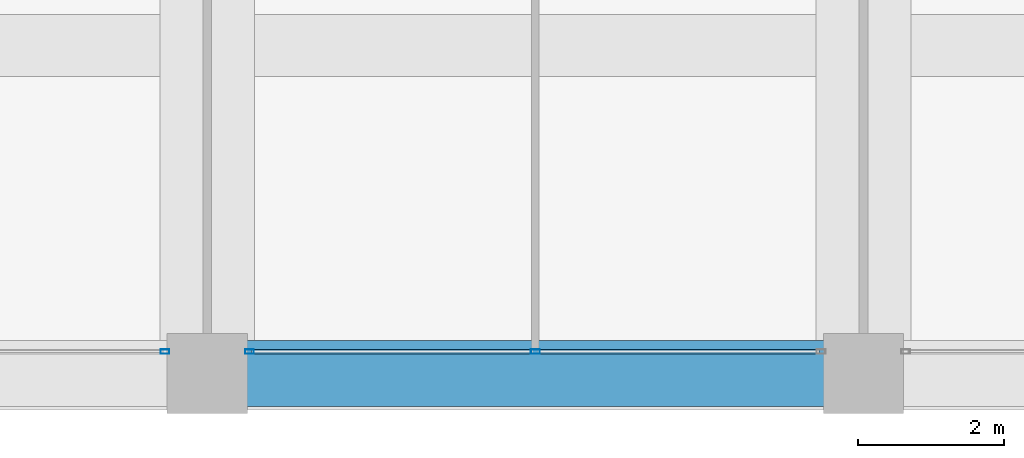
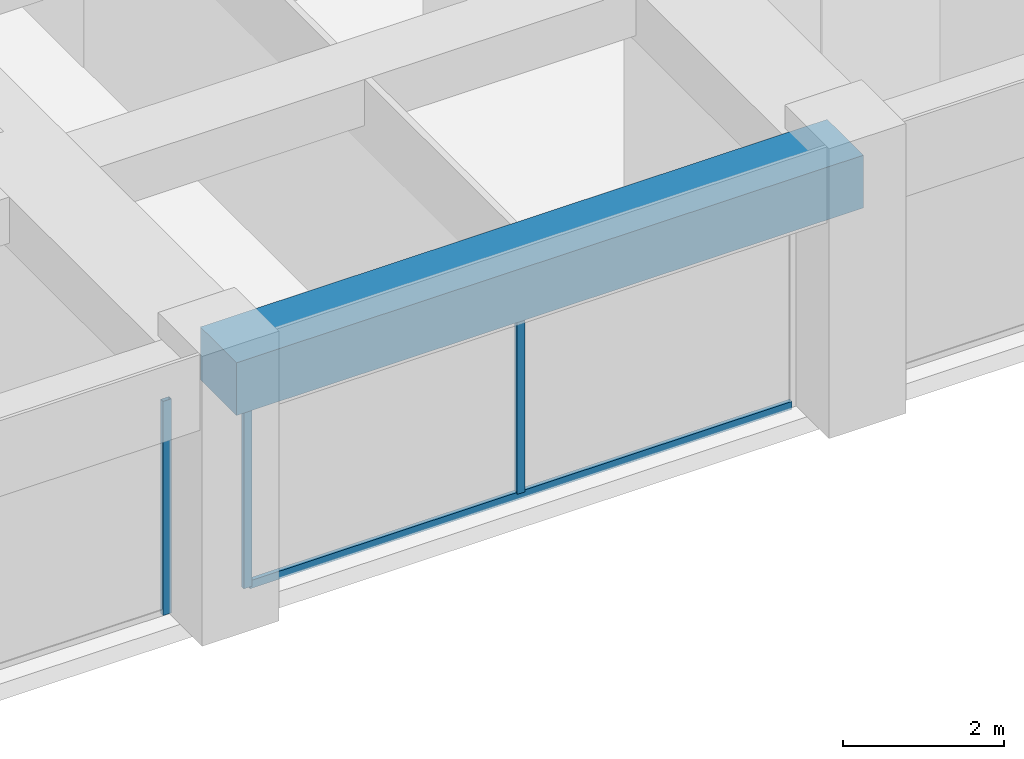
# One storey, part 9 of 44: 4 members, 1 beam, 2 elements without a shape of their own.
"""IFC4 building model written with IfcOpenShell, lengths in metres."""

from ifc_helpers import new_model, si_unit, direction, frame, origin, origin_2d, place, context, subcontext, project, spatial, rectangle, hollow_rectangle, extrude, material, material_profile, profile_set, type_object, element, aggregate, save


model = new_model("IFC4")

# Units and contexts
model_context = context("Model", 3, precision=1e-05, world=origin(), true_north=direction((0.0, 1.0)))
body_context = subcontext(model_context, "Body", "Model", "MODEL_VIEW")
ifc_project = project(units=[si_unit("LENGTHUNIT", "METRE"), si_unit("AREAUNIT", "SQUARE_METRE"), si_unit("VOLUMEUNIT", "CUBIC_METRE"), si_unit("PLANEANGLEUNIT", "RADIAN"), si_unit("MASSUNIT", "GRAM", prefix="KILO")], contexts=[model_context])

# Site, building, storey
site_placement = place(None, origin())
site = spatial("IfcSite", under=ifc_project, at=site_placement, CompositionType="ELEMENT")
building_placement = place(site_placement, origin())
building = spatial("IfcBuilding", under=site, at=building_placement, Name="Zorevar Civic Tower", CompositionType="ELEMENT")
storey_placement = place(building_placement, frame((0.0, 0.0, 307.39990234375)))
storey = spatial("IfcBuildingStorey", under=building, at=storey_placement, Name="L75", CompositionType="ELEMENT", Elevation=307.39990234375)

# Curtain wall, member
ifc_material_1 = material(Name="Dark grey solar-control glass in black aluminium frame", Category="aluminium")
curtain_wall_type = type_object("IfcCurtainWallType", Name="Curtain wall CW5 top zone", PredefinedType="NOTDEFINED", material=ifc_material_1)
curtain_wall_1_placement = place(storey_placement, origin())
curtain_wall_1 = element("IfcCurtainWall", 1, at=curtain_wall_1_placement, inside=storey, type_object=curtain_wall_type, Name="CW5 L75", PredefinedType="NOTDEFINED")
ifc_material_2 = material(Name="Aluminium, black anodised", Category="aluminium")
ifc_material_profile_1 = material_profile(ifc_material_2, hollow_rectangle(XDim=0.06005859375, YDim=0.1201171875, WallThickness=0.0029296875, at=origin_2d()), Name="AL 120x60x3")
ifc_profile_set_1 = profile_set([ifc_material_profile_1], Name="Aluminium, black anodised")
member_type_1 = type_object("IfcMemberType", Name="CW5 mullion AL 120x60x3", PredefinedType="MULLION", material=ifc_profile_set_1)
member_1_placement = place(storey_placement, frame((26.419921875, 0.300048828125, 0.0), z_axis=(0.0, 0.0, 1.0), x_axis=(0.0, 1.0, 0.0)))
member_1 = element("IfcMember", 2, at=member_1_placement, type_object=member_type_1, Name="CW5 mullion 3", PredefinedType="MULLION", context=body_context, shape_type="SweptSolid", body=[
    extrude(hollow_rectangle(XDim=0.06005859375, YDim=0.1201171875, WallThickness=0.0029296875, at=origin_2d()), origin(), (0.0, 0.0, 1.0), 3.25),
])
aggregate(curtain_wall_1, [member_1])

# Curtain wall, members
curtain_wall_2_placement = place(storey_placement, origin())
curtain_wall_2 = element("IfcCurtainWall", 3, at=curtain_wall_2_placement, inside=storey, type_object=curtain_wall_type, Name="CW5 L75", PredefinedType="NOTDEFINED")
member_2_placement = place(storey_placement, frame((27.580078125, 0.300048828125, 0.0), z_axis=(0.0, 0.0, 1.0), x_axis=(0.0, 1.0, 0.0)))
member_2 = element("IfcMember", 4, at=member_2_placement, type_object=member_type_1, Name="CW5 mullion 1", PredefinedType="MULLION", context=body_context, shape_type="SweptSolid", body=[
    extrude(hollow_rectangle(XDim=0.06005859375, YDim=0.1201171875, WallThickness=0.0029296875, at=origin_2d()), origin(), (0.0, 0.0, 1.0), 3.25),
])
member_3_placement = place(storey_placement, frame((31.5, 0.300048828125, 0.06005859375), z_axis=(0.0, 0.0, 1.0), x_axis=(0.0, 1.0, 0.0)))
member_3 = element("IfcMember", 5, at=member_3_placement, type_object=member_type_1, Name="CW5 mullion 2", PredefinedType="MULLION", context=body_context, shape_type="SweptSolid", body=[
    extrude(hollow_rectangle(XDim=0.06005859375, YDim=0.1201171875, WallThickness=0.0029296875, at=origin_2d()), origin(), (0.0, 0.0, 1.0), 3.18994140625),
])
ifc_material_3 = material(Name="Aluminium, black anodised", Category="aluminium")
ifc_material_profile_2 = material_profile(ifc_material_3, hollow_rectangle(XDim=0.06005859375, YDim=0.1201171875, WallThickness=0.0029296875, at=origin_2d()), Name="AL 120x60x3")
ifc_profile_set_2 = profile_set([ifc_material_profile_2], Name="Aluminium, black anodised")
member_type_2 = type_object("IfcMemberType", Name="CW5 transom AL 120x60x3", PredefinedType="USERDEFINED", material=ifc_profile_set_2)
member_4_placement = place(storey_placement, frame((27.610107421875, 0.300048828125, 0.030029296875), z_axis=(1.0, 0.0, 0.0), x_axis=(0.0, 1.0, 0.0)))
member_4 = element("IfcMember", 6, at=member_4_placement, type_object=member_type_2, Name="CW5 sill transom", ObjectType="TRANSOM", PredefinedType="USERDEFINED", context=body_context, shape_type="SweptSolid", body=[
    extrude(hollow_rectangle(XDim=0.06005859375, YDim=0.1201171875, WallThickness=0.0029296875, at=origin_2d()), origin(), (0.0, 0.0, 1.0), 7.77978515625),
])
aggregate(curtain_wall_2, [member_2, member_3, member_4])

# Beam
ifc_material_4 = material(Name="Concrete C50/60", Category="concrete")
ifc_material_profile_3 = material_profile(ifc_material_4, rectangle(XDim=0.89990234375, YDim=0.800048828125, at=origin_2d()), Name="RC 900x800")
ifc_profile_set_3 = profile_set([ifc_material_profile_3], Name="Concrete C50/60")
beam_type = type_object("IfcBeamType", Name="Edge beam RC 900x800", PredefinedType="SPANDREL", material=ifc_profile_set_3)
beam_placement = place(storey_placement, frame((27.0, 0.0, 3.650146484375), z_axis=(1.0, 0.0, 0.0), x_axis=(0.0, 1.0, 0.0)))
element("IfcBeam", 7, at=beam_placement, inside=storey, type_object=beam_type, Name="Edge beam RF", PredefinedType="SPANDREL", context=body_context, shape_type="SweptSolid", body=[
    extrude(rectangle(XDim=0.89990234375, YDim=0.800048828125, at=origin_2d()), origin(), (0.0, 0.0, 1.0), 9.0),
])

save(model, "model.ifc")
